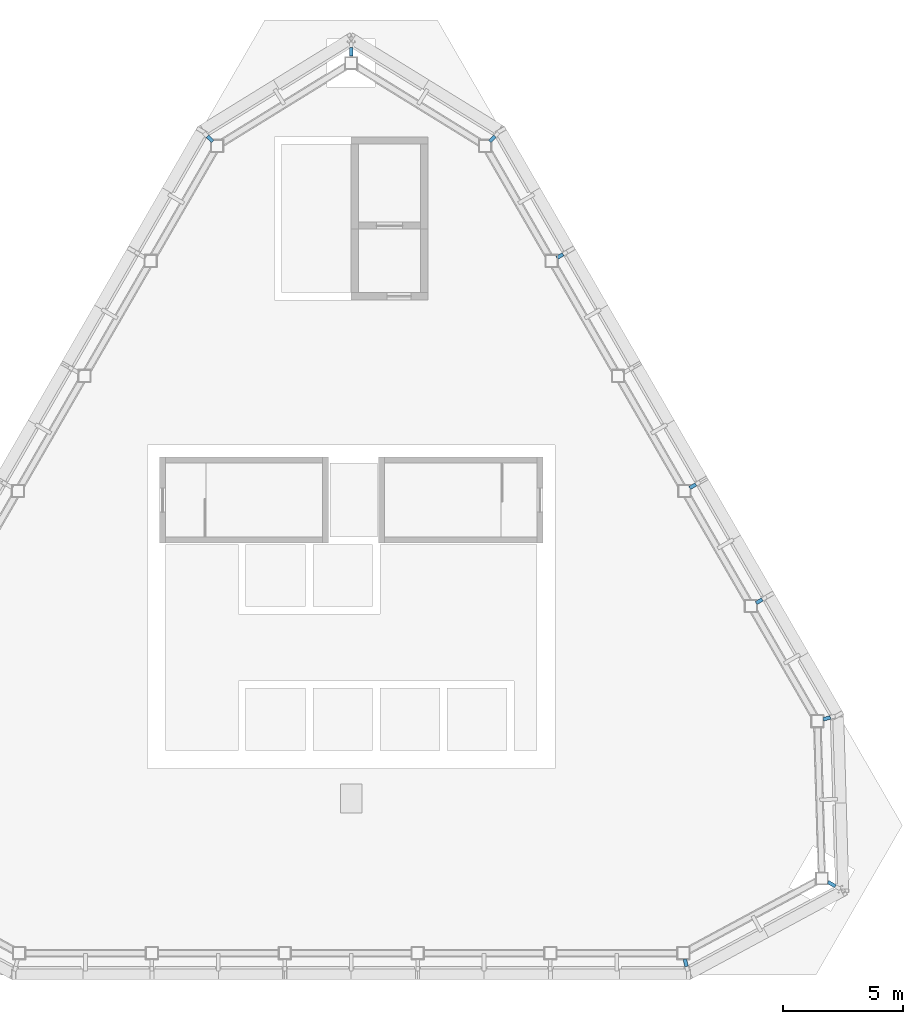
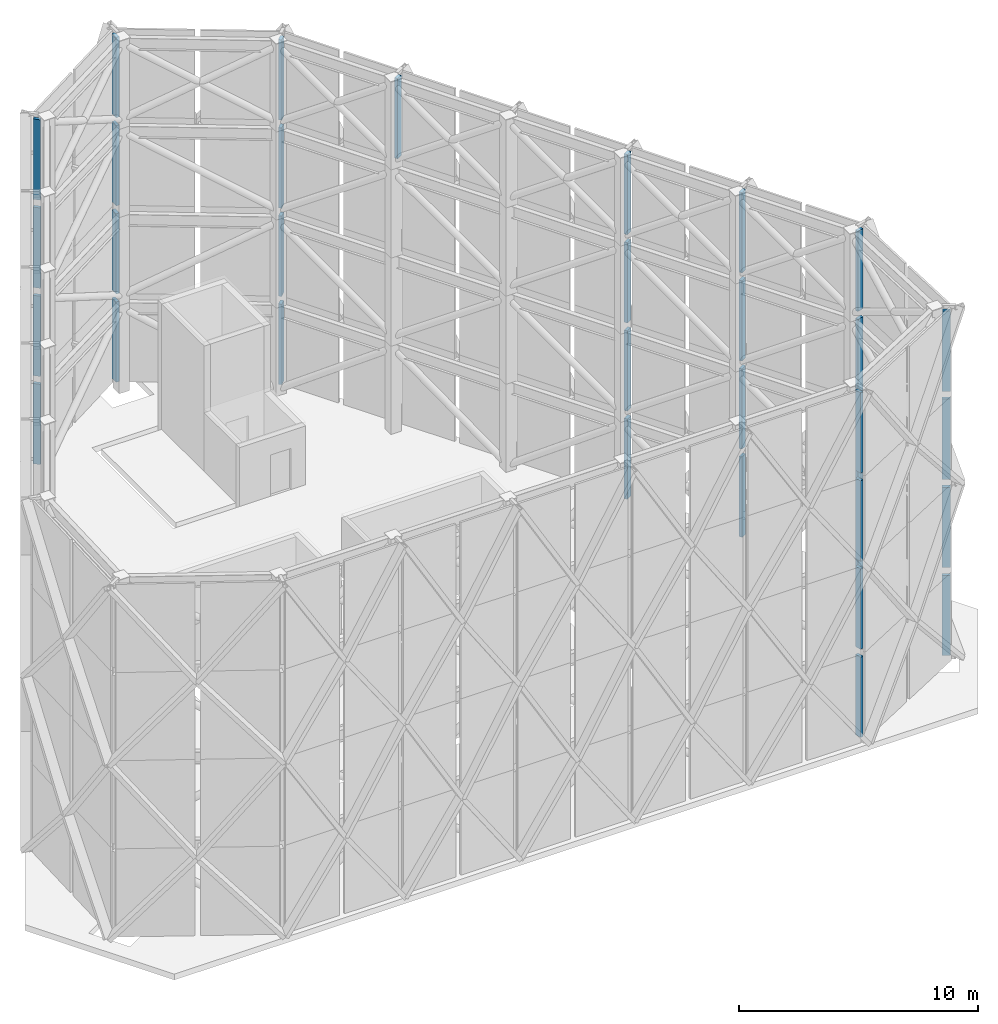
# One storey, part 11 of 12: 33 discrete accessories.
"""IFC4 building model written with IfcOpenShell, lengths in metres."""

from ifc_helpers import new_model, si_unit, direction, frame, origin, origin_2d, place, context, subcontext, project, spatial, rectangle, extrude, material, type_object, element, save


model = new_model("IFC4")

# Units and contexts
model_context = context("Model", 3, precision=1e-05, world=origin(), true_north=direction((0.0, 1.0)))
body_context = subcontext(model_context, "Body", "Model", "MODEL_VIEW")
ifc_project = project(units=[si_unit("LENGTHUNIT", "METRE"), si_unit("AREAUNIT", "SQUARE_METRE"), si_unit("VOLUMEUNIT", "CUBIC_METRE"), si_unit("PLANEANGLEUNIT", "RADIAN"), si_unit("MASSUNIT", "GRAM", prefix="KILO")], contexts=[model_context])

# Site, building, storey
site_placement = place(None, origin())
site = spatial("IfcSite", under=ifc_project, at=site_placement, CompositionType="ELEMENT")
building_placement = place(site_placement, origin())
building = spatial("IfcBuilding", under=site, at=building_placement, Name="Firuza Gate Tower and Library", CompositionType="ELEMENT")
storey_placement = place(building_placement, frame((0.0, 0.0, 339.60009765625)))
storey = spatial("IfcBuildingStorey", under=building, at=storey_placement, Name="Roof", CompositionType="ELEMENT", Elevation=339.60009765625)

# Discrete accessories
ifc_material = material(Name="Steel S355", Category="steel")
discrete_accessory_type = type_object("IfcDiscreteAccessoryType", Name="Screen bracket", PredefinedType="BRACKET", material=ifc_material)
discrete_accessory_1_placement = place(storey_placement, frame((88.958251953125, 60.1416015625, 0.199951171875), z_axis=(0.0, 0.0, 1.0), x_axis=(0.244677097432, -0.969604619416, 0.0)))
element("IfcDiscreteAccessory", 1, at=discrete_accessory_1_placement, inside=storey, type_object=discrete_accessory_type, Name="Screen bracket 1.8", PredefinedType="BRACKET", context=body_context, shape_type="SweptSolid", body=[
    extrude(rectangle(XDim=0.31103515625, YDim=0.14990234375, at=origin_2d()), origin(), (0.0, 0.0, 1.0), 4.10009765625),
])
discrete_accessory_2_placement = place(storey_placement, frame((95.052001953125, 63.423095703125, 0.199951171875), z_axis=(0.0, 0.0, 1.0), x_axis=(0.866025368878, -0.50000006046, 0.0)))
element("IfcDiscreteAccessory", 2, at=discrete_accessory_2_placement, inside=storey, type_object=discrete_accessory_type, Name="Screen bracket 1.9", PredefinedType="BRACKET", context=body_context, shape_type="SweptSolid", body=[
    extrude(rectangle(XDim=0.361328125, YDim=0.14990234375, at=origin_2d()), origin(), (0.0, 0.0, 1.0), 4.10009765625),
])
discrete_accessory_3_placement = place(storey_placement, frame((94.8466796875, 70.3408203125, 0.199951171875), z_axis=(0.0, 0.0, 1.0), x_axis=(0.962040790283, 0.272905694026, 0.0)))
element("IfcDiscreteAccessory", 3, at=discrete_accessory_3_placement, inside=storey, type_object=discrete_accessory_type, Name="Screen bracket 1.10", PredefinedType="BRACKET", context=body_context, shape_type="SweptSolid", body=[
    extrude(rectangle(XDim=0.31103515625, YDim=0.14990234375, at=origin_2d()), origin(), (0.0, 0.0, 1.0), 4.10009765625),
])
for number, where, z_axis, x_axis, name in (
    (4, (92.024169921875, 75.228271484375, 0.199951171875), (0.0, 0.0, 1.0), (0.866025368878, 0.50000006046, 0.0), "Screen bracket 1.11"),
    (5, (89.252685546875, 80.028564453125, 0.199951171875), (0.0, 0.0, 1.0), (0.866025403784, 0.5, 0.0), "Screen bracket 1.12"),
):
    element("IfcDiscreteAccessory", number, at=place(storey_placement, frame(where, z_axis=z_axis, x_axis=x_axis)), inside=storey, type_object=discrete_accessory_type, Name=name, PredefinedType="BRACKET", context=body_context, shape_type="SweptSolid", body=[
        extrude(rectangle(XDim=0.300048828125, YDim=0.14990234375, at=origin_2d()), origin(), (0.0, 0.0, 1.0), 4.10009765625),
    ])
discrete_accessory_4_placement = place(storey_placement, frame((80.888427734375, 94.517333984375, 0.199951171875), z_axis=(0.0, 0.0, 1.0), x_axis=(0.717363683325, 0.696698891808, 0.0)))
element("IfcDiscreteAccessory", 6, at=discrete_accessory_4_placement, inside=storey, type_object=discrete_accessory_type, Name="Screen bracket 1.15", PredefinedType="BRACKET", context=body_context, shape_type="SweptSolid", body=[
    extrude(rectangle(XDim=0.31103515625, YDim=0.14990234375, at=origin_2d()), origin(), (0.0, 0.0, 1.0), 4.10009765625),
])
discrete_accessory_5_placement = place(storey_placement, frame((75.0, 98.154052734375, 0.199951171875), z_axis=(0.0, 0.0, 1.0), x_axis=(0.0, 1.0, 0.0)))
element("IfcDiscreteAccessory", 7, at=discrete_accessory_5_placement, inside=storey, type_object=discrete_accessory_type, Name="Screen bracket 1.16", PredefinedType="BRACKET", context=body_context, shape_type="SweptSolid", body=[
    extrude(rectangle(XDim=0.361328125, YDim=0.14990234375, at=origin_2d()), origin(), (0.0, 0.0, 1.0), 4.10009765625),
])
for number, where, z_axis, x_axis, name in (
    (8, (69.111572265625, 94.517333984375, 0.199951171875), (0.0, 0.0, 1.0), (-0.717363683325, 0.696698891808, 0.0), "Screen bracket 1.17"),
    (9, (88.958251953125, 60.1416015625, 4.699951171875), (0.0, 0.0, 1.0), (0.244677097432, -0.969604619416, 0.0), "Screen bracket 2.8"),
):
    element("IfcDiscreteAccessory", number, at=place(storey_placement, frame(where, z_axis=z_axis, x_axis=x_axis)), inside=storey, type_object=discrete_accessory_type, Name=name, PredefinedType="BRACKET", context=body_context, shape_type="SweptSolid", body=[
        extrude(rectangle(XDim=0.31103515625, YDim=0.14990234375, at=origin_2d()), origin(), (0.0, 0.0, 1.0), 4.10009765625),
    ])
discrete_accessory_6_placement = place(storey_placement, frame((95.052001953125, 63.423095703125, 4.699951171875), z_axis=(0.0, 0.0, 1.0), x_axis=(0.866025368878, -0.50000006046, 0.0)))
element("IfcDiscreteAccessory", 10, at=discrete_accessory_6_placement, inside=storey, type_object=discrete_accessory_type, Name="Screen bracket 2.9", PredefinedType="BRACKET", context=body_context, shape_type="SweptSolid", body=[
    extrude(rectangle(XDim=0.361328125, YDim=0.14990234375, at=origin_2d()), origin(), (0.0, 0.0, 1.0), 4.10009765625),
])
discrete_accessory_7_placement = place(storey_placement, frame((94.8466796875, 70.3408203125, 4.699951171875), z_axis=(0.0, 0.0, 1.0), x_axis=(0.962040790283, 0.272905694026, 0.0)))
element("IfcDiscreteAccessory", 11, at=discrete_accessory_7_placement, inside=storey, type_object=discrete_accessory_type, Name="Screen bracket 2.10", PredefinedType="BRACKET", context=body_context, shape_type="SweptSolid", body=[
    extrude(rectangle(XDim=0.31103515625, YDim=0.14990234375, at=origin_2d()), origin(), (0.0, 0.0, 1.0), 4.10009765625),
])
for number, where, z_axis, x_axis, name in (
    (12, (92.024169921875, 75.228271484375, 4.699951171875), (0.0, 0.0, 1.0), (0.866025368878, 0.50000006046, 0.0), "Screen bracket 2.11"),
    (13, (89.252685546875, 80.028564453125, 4.699951171875), (0.0, 0.0, 1.0), (0.866025403784, 0.5, 0.0), "Screen bracket 2.12"),
):
    element("IfcDiscreteAccessory", number, at=place(storey_placement, frame(where, z_axis=z_axis, x_axis=x_axis)), inside=storey, type_object=discrete_accessory_type, Name=name, PredefinedType="BRACKET", context=body_context, shape_type="SweptSolid", body=[
        extrude(rectangle(XDim=0.300048828125, YDim=0.14990234375, at=origin_2d()), origin(), (0.0, 0.0, 1.0), 4.10009765625),
    ])
discrete_accessory_8_placement = place(storey_placement, frame((80.888427734375, 94.517333984375, 4.699951171875), z_axis=(0.0, 0.0, 1.0), x_axis=(0.717363683325, 0.696698891808, 0.0)))
element("IfcDiscreteAccessory", 14, at=discrete_accessory_8_placement, inside=storey, type_object=discrete_accessory_type, Name="Screen bracket 2.15", PredefinedType="BRACKET", context=body_context, shape_type="SweptSolid", body=[
    extrude(rectangle(XDim=0.31103515625, YDim=0.14990234375, at=origin_2d()), origin(), (0.0, 0.0, 1.0), 4.10009765625),
])
discrete_accessory_9_placement = place(storey_placement, frame((75.0, 98.154052734375, 4.699951171875), z_axis=(0.0, 0.0, 1.0), x_axis=(0.0, 1.0, 0.0)))
element("IfcDiscreteAccessory", 15, at=discrete_accessory_9_placement, inside=storey, type_object=discrete_accessory_type, Name="Screen bracket 2.16", PredefinedType="BRACKET", context=body_context, shape_type="SweptSolid", body=[
    extrude(rectangle(XDim=0.361328125, YDim=0.14990234375, at=origin_2d()), origin(), (0.0, 0.0, 1.0), 4.10009765625),
])
for number, where, z_axis, x_axis, name in (
    (16, (69.111572265625, 94.517333984375, 4.699951171875), (0.0, 0.0, 1.0), (-0.717363683325, 0.696698891808, 0.0), "Screen bracket 2.17"),
    (17, (88.958251953125, 60.1416015625, 9.199951171875), (0.0, 0.0, 1.0), (0.244677097432, -0.969604619416, 0.0), "Screen bracket 3.8"),
):
    element("IfcDiscreteAccessory", number, at=place(storey_placement, frame(where, z_axis=z_axis, x_axis=x_axis)), inside=storey, type_object=discrete_accessory_type, Name=name, PredefinedType="BRACKET", context=body_context, shape_type="SweptSolid", body=[
        extrude(rectangle(XDim=0.31103515625, YDim=0.14990234375, at=origin_2d()), origin(), (0.0, 0.0, 1.0), 4.10009765625),
    ])
discrete_accessory_10_placement = place(storey_placement, frame((95.052001953125, 63.423095703125, 9.199951171875), z_axis=(0.0, 0.0, 1.0), x_axis=(0.866025368878, -0.50000006046, 0.0)))
element("IfcDiscreteAccessory", 18, at=discrete_accessory_10_placement, inside=storey, type_object=discrete_accessory_type, Name="Screen bracket 3.9", PredefinedType="BRACKET", context=body_context, shape_type="SweptSolid", body=[
    extrude(rectangle(XDim=0.361328125, YDim=0.14990234375, at=origin_2d()), origin(), (0.0, 0.0, 1.0), 4.10009765625),
])
discrete_accessory_11_placement = place(storey_placement, frame((94.8466796875, 70.3408203125, 9.199951171875), z_axis=(0.0, 0.0, 1.0), x_axis=(0.962040790283, 0.272905694026, 0.0)))
element("IfcDiscreteAccessory", 19, at=discrete_accessory_11_placement, inside=storey, type_object=discrete_accessory_type, Name="Screen bracket 3.10", PredefinedType="BRACKET", context=body_context, shape_type="SweptSolid", body=[
    extrude(rectangle(XDim=0.31103515625, YDim=0.14990234375, at=origin_2d()), origin(), (0.0, 0.0, 1.0), 4.10009765625),
])
for number, where, z_axis, x_axis, name in (
    (20, (92.024169921875, 75.228271484375, 9.199951171875), (0.0, 0.0, 1.0), (0.866025368878, 0.50000006046, 0.0), "Screen bracket 3.11"),
    (21, (89.252685546875, 80.028564453125, 9.199951171875), (0.0, 0.0, 1.0), (0.866025403784, 0.5, 0.0), "Screen bracket 3.12"),
):
    element("IfcDiscreteAccessory", number, at=place(storey_placement, frame(where, z_axis=z_axis, x_axis=x_axis)), inside=storey, type_object=discrete_accessory_type, Name=name, PredefinedType="BRACKET", context=body_context, shape_type="SweptSolid", body=[
        extrude(rectangle(XDim=0.300048828125, YDim=0.14990234375, at=origin_2d()), origin(), (0.0, 0.0, 1.0), 4.10009765625),
    ])
discrete_accessory_12_placement = place(storey_placement, frame((80.888427734375, 94.517333984375, 9.199951171875), z_axis=(0.0, 0.0, 1.0), x_axis=(0.717363683325, 0.696698891808, 0.0)))
element("IfcDiscreteAccessory", 22, at=discrete_accessory_12_placement, inside=storey, type_object=discrete_accessory_type, Name="Screen bracket 3.15", PredefinedType="BRACKET", context=body_context, shape_type="SweptSolid", body=[
    extrude(rectangle(XDim=0.31103515625, YDim=0.14990234375, at=origin_2d()), origin(), (0.0, 0.0, 1.0), 4.10009765625),
])
discrete_accessory_13_placement = place(storey_placement, frame((75.0, 98.154052734375, 9.199951171875), z_axis=(0.0, 0.0, 1.0), x_axis=(0.0, 1.0, 0.0)))
element("IfcDiscreteAccessory", 23, at=discrete_accessory_13_placement, inside=storey, type_object=discrete_accessory_type, Name="Screen bracket 3.16", PredefinedType="BRACKET", context=body_context, shape_type="SweptSolid", body=[
    extrude(rectangle(XDim=0.361328125, YDim=0.14990234375, at=origin_2d()), origin(), (0.0, 0.0, 1.0), 4.10009765625),
])
for number, where, z_axis, x_axis, name in (
    (24, (69.111572265625, 94.517333984375, 9.199951171875), (0.0, 0.0, 1.0), (-0.717363683325, 0.696698891808, 0.0), "Screen bracket 3.17"),
    (25, (88.958251953125, 60.1416015625, 13.699951171875), (0.0, 0.0, 1.0), (0.244677097432, -0.969604619416, 0.0), "Screen bracket 4.8"),
):
    element("IfcDiscreteAccessory", number, at=place(storey_placement, frame(where, z_axis=z_axis, x_axis=x_axis)), inside=storey, type_object=discrete_accessory_type, Name=name, PredefinedType="BRACKET", context=body_context, shape_type="SweptSolid", body=[
        extrude(rectangle(XDim=0.31103515625, YDim=0.14990234375, at=origin_2d()), origin(), (0.0, 0.0, 1.0), 4.10009765625),
    ])
discrete_accessory_14_placement = place(storey_placement, frame((95.052001953125, 63.423095703125, 13.699951171875), z_axis=(0.0, 0.0, 1.0), x_axis=(0.866025368878, -0.50000006046, 0.0)))
element("IfcDiscreteAccessory", 26, at=discrete_accessory_14_placement, inside=storey, type_object=discrete_accessory_type, Name="Screen bracket 4.9", PredefinedType="BRACKET", context=body_context, shape_type="SweptSolid", body=[
    extrude(rectangle(XDim=0.361328125, YDim=0.14990234375, at=origin_2d()), origin(), (0.0, 0.0, 1.0), 4.10009765625),
])
discrete_accessory_15_placement = place(storey_placement, frame((94.8466796875, 70.3408203125, 13.699951171875), z_axis=(0.0, 0.0, 1.0), x_axis=(0.962040790283, 0.272905694026, 0.0)))
element("IfcDiscreteAccessory", 27, at=discrete_accessory_15_placement, inside=storey, type_object=discrete_accessory_type, Name="Screen bracket 4.10", PredefinedType="BRACKET", context=body_context, shape_type="SweptSolid", body=[
    extrude(rectangle(XDim=0.31103515625, YDim=0.14990234375, at=origin_2d()), origin(), (0.0, 0.0, 1.0), 4.10009765625),
])
for number, where, z_axis, x_axis, name in (
    (28, (92.024169921875, 75.228271484375, 13.699951171875), (0.0, 0.0, 1.0), (0.866025368878, 0.50000006046, 0.0), "Screen bracket 4.11"),
    (29, (89.252685546875, 80.028564453125, 13.699951171875), (0.0, 0.0, 1.0), (0.866025403784, 0.5, 0.0), "Screen bracket 4.12"),
    (30, (83.7099609375, 89.629150390625, 13.699951171875), (0.0, 0.0, 1.0), (0.866025403784, 0.5, 0.0), "Screen bracket 4.14"),
):
    element("IfcDiscreteAccessory", number, at=place(storey_placement, frame(where, z_axis=z_axis, x_axis=x_axis)), inside=storey, type_object=discrete_accessory_type, Name=name, PredefinedType="BRACKET", context=body_context, shape_type="SweptSolid", body=[
        extrude(rectangle(XDim=0.300048828125, YDim=0.14990234375, at=origin_2d()), origin(), (0.0, 0.0, 1.0), 4.10009765625),
    ])
discrete_accessory_16_placement = place(storey_placement, frame((80.888427734375, 94.517333984375, 13.699951171875), z_axis=(0.0, 0.0, 1.0), x_axis=(0.717363683325, 0.696698891808, 0.0)))
element("IfcDiscreteAccessory", 31, at=discrete_accessory_16_placement, inside=storey, type_object=discrete_accessory_type, Name="Screen bracket 4.15", PredefinedType="BRACKET", context=body_context, shape_type="SweptSolid", body=[
    extrude(rectangle(XDim=0.31103515625, YDim=0.14990234375, at=origin_2d()), origin(), (0.0, 0.0, 1.0), 4.10009765625),
])
discrete_accessory_17_placement = place(storey_placement, frame((75.0, 98.154052734375, 13.699951171875), z_axis=(0.0, 0.0, 1.0), x_axis=(0.0, 1.0, 0.0)))
element("IfcDiscreteAccessory", 32, at=discrete_accessory_17_placement, inside=storey, type_object=discrete_accessory_type, Name="Screen bracket 4.16", PredefinedType="BRACKET", context=body_context, shape_type="SweptSolid", body=[
    extrude(rectangle(XDim=0.361328125, YDim=0.14990234375, at=origin_2d()), origin(), (0.0, 0.0, 1.0), 4.10009765625),
])
discrete_accessory_18_placement = place(storey_placement, frame((69.111572265625, 94.517333984375, 13.699951171875), z_axis=(0.0, 0.0, 1.0), x_axis=(-0.717363683325, 0.696698891808, 0.0)))
element("IfcDiscreteAccessory", 33, at=discrete_accessory_18_placement, inside=storey, type_object=discrete_accessory_type, Name="Screen bracket 4.17", PredefinedType="BRACKET", context=body_context, shape_type="SweptSolid", body=[
    extrude(rectangle(XDim=0.31103515625, YDim=0.14990234375, at=origin_2d()), origin(), (0.0, 0.0, 1.0), 4.10009765625),
])

save(model, "model.ifc")
